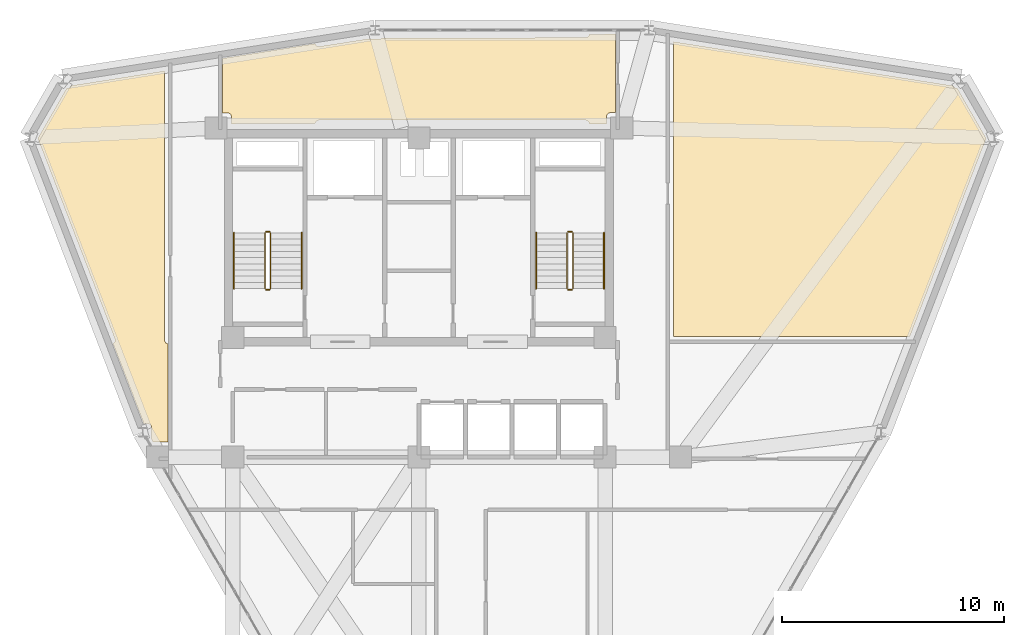
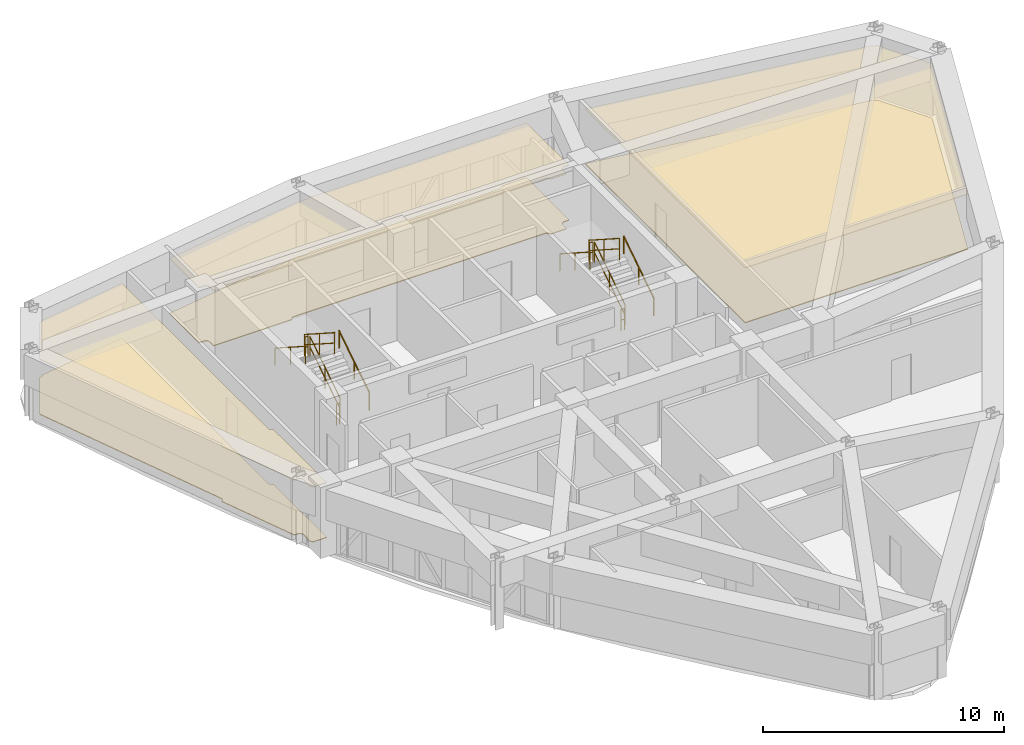
# One storey, part 16 of 16: 12 railings, 6 coverings.
"""IFC4 building model written with IfcOpenShell, lengths in metres."""

from ifc_helpers import new_model, si_unit, derived_unit, direction, frame, origin, origin_2d, place, context, subcontext, project, spatial, polyline, circle, outline, extrude, material, layer, layer_set, type_object, element, save


model = new_model("IFC4")

# Units and contexts
model_context = context("Model", 3, precision=1e-05, world=origin(), true_north=direction((0.0, 1.0)))
body_context = subcontext(model_context, "Body", "Model", "MODEL_VIEW")
ifc_project = project(units=[si_unit("LENGTHUNIT", "METRE"), si_unit("AREAUNIT", "SQUARE_METRE"), si_unit("VOLUMEUNIT", "CUBIC_METRE"), si_unit("PLANEANGLEUNIT", "RADIAN"), si_unit("MASSUNIT", "GRAM", prefix="KILO"), derived_unit("THERMALTRANSMITTANCEUNIT", [(si_unit("POWERUNIT", "WATT"), 1), (si_unit("LENGTHUNIT", "METRE"), -2), (si_unit("THERMODYNAMICTEMPERATUREUNIT", "KELVIN"), -1)])], contexts=[model_context])

# Site, building, storey
site_placement = place(None, origin())
site = spatial("IfcSite", under=ifc_project, at=site_placement, CompositionType="ELEMENT")
building_placement = place(site_placement, origin())
building = spatial("IfcBuilding", under=site, at=building_placement, Name="Korsvarv Bourse and Concert Hall", CompositionType="ELEMENT")
storey_placement = place(building_placement, frame((0.0, 0.0, 213.0)))
storey = spatial("IfcBuildingStorey", under=building, at=storey_placement, Name="L55", CompositionType="ELEMENT", Elevation=213.0)

# Coverings
ifc_material_1 = material(Name="Perforated mineral-wool and birch acoustic baffle ceiling", Category="wood")
ifc_layer_1 = layer(ifc_material_1, 0.02490234375)
ifc_layer_set_1 = layer_set([ifc_layer_1], Name="Perforated mineral-wool and birch acoustic baffle ceiling")
covering_type_1 = type_object("IfcCoveringType", Name="COV-CEIL-1", PredefinedType="CEILING", material=ifc_layer_set_1)
covering_1_placement = place(storey_placement, frame((0.0, 0.0, 2.7900390625)))
element("IfcCovering", 1, at=covering_1_placement, inside=storey, type_object=covering_type_1, Name="L55 acoustic baffle ceiling 1", PredefinedType="CEILING", context=body_context, shape_type="SweptSolid", body=[
    extrude(outline(polyline([(60.077392578125, 49.1533203125), (60.097900390625, 49.12353515625), (60.123779296875, 49.098388671875), (60.154296875, 49.0791015625), (60.18798828125, 49.066162109375), (60.223388671875, 49.060302734375), (60.281494140625, 49.056396484375), (61.5771484375, 46.81201171875), (61.5771484375, 46.737060546875), (58.1552734375, 37.85009765625), (47.47998046875, 37.85009765625), (47.47998046875, 51.14404296875), (60.077392578125, 49.1533203125)])), origin(), (0.0, 0.0, 1.0), 0.02490234375),
])
covering_2_placement = place(storey_placement, frame((0.0, 0.0, 2.7900390625)))
element("IfcCovering", 2, at=covering_2_placement, inside=storey, type_object=covering_type_1, Name="L55 acoustic baffle ceiling 2", PredefinedType="CEILING", context=body_context, shape_type="SweptSolid", body=[
    extrude(outline(polyline([(31.315185546875, 51.053466796875), (31.32421875, 51.02978515625), (31.342529296875, 50.999267578125), (31.366455078125, 50.972900390625), (31.39501953125, 50.951904296875), (31.427001953125, 50.936767578125), (31.46142578125, 50.92822265625), (31.4970703125, 50.9267578125), (33.7646484375, 51.277099609375), (33.79052734375, 51.27197265625), (34.22314453125, 51.263671875), (34.259521484375, 51.266845703125), (34.29443359375, 51.277099609375), (34.326416015625, 51.294189453125), (34.3544921875, 51.3173828125), (43.510009765625, 51.32177734375), (43.546142578125, 51.325439453125), (43.5810546875, 51.336181640625), (43.61279296875, 51.35400390625), (43.640380859375, 51.377685546875), (43.66259765625, 51.406494140625), (43.6787109375, 51.439208984375), (43.68798828125, 51.474365234375), (44.8701171875, 51.481689453125), (44.8701171875, 47.93994140625), (44.64990234375, 47.93994140625), (44.615234375, 47.9365234375), (44.581787109375, 47.926513671875), (44.551025390625, 47.910400390625), (44.52392578125, 47.888427734375), (44.501708984375, 47.86181640625), (44.48486328125, 47.831298828125), (44.47412109375, 47.798095703125), (44.469970703125, 47.763671875), (44.463623046875, 47.43994140625), (43.688720703125, 47.43994140625), (43.68408203125, 47.465087890625), (43.671630859375, 47.499267578125), (43.65234375, 47.5302734375), (43.627197265625, 47.556640625), (43.597412109375, 47.577392578125), (43.56396484375, 47.591796875), (43.5283203125, 47.59912109375), (31.489990234375, 47.60009765625), (31.453857421875, 47.59619140625), (31.4189453125, 47.58544921875), (31.38720703125, 47.567626953125), (31.359619140625, 47.5439453125), (31.33740234375, 47.51513671875), (31.3212890625, 47.482421875), (31.31201171875, 47.447265625), (27.5400390625, 47.43994140625), (27.5400390625, 47.75), (27.53662109375, 47.78466796875), (27.526611328125, 47.81787109375), (27.510498046875, 47.8486328125), (27.48876953125, 47.875732421875), (27.46240234375, 47.898193359375), (27.431884765625, 47.9150390625), (27.39892578125, 47.92578125), (27.364501953125, 47.929931640625), (27.1298828125, 47.935791015625), (27.1298828125, 50.384521484375), (31.315185546875, 51.053466796875)])), origin(), (0.0, 0.0, 1.0), 0.02490234375),
])
covering_3_placement = place(storey_placement, frame((0.0, 0.0, 2.7900390625)))
element("IfcCovering", 3, at=covering_3_placement, inside=storey, type_object=covering_type_1, Name="L55 acoustic baffle ceiling 3", PredefinedType="CEILING", context=body_context, shape_type="SweptSolid", body=[
    extrude(outline(polyline([(24.52001953125, 49.822509765625), (24.52001953125, 37.68994140625), (24.523681640625, 37.65380859375), (24.53466796875, 37.618896484375), (24.55224609375, 37.587158203125), (24.575927734375, 37.5595703125), (24.604736328125, 37.537353515625), (24.637451171875, 37.521240234375), (24.672607421875, 37.51220703125), (24.679931640625, 33.080322265625), (24.004150390625, 33.088623046875), (23.919189453125, 33.236083984375), (23.927001953125, 33.26171875), (23.93115234375, 33.296142578125), (23.941162109375, 33.72216796875), (23.938720703125, 33.757080078125), (23.92919921875, 33.790771484375), (23.91357421875, 33.822265625), (23.89208984375, 33.849853515625), (23.865478515625, 33.872802734375), (23.835205078125, 33.890380859375), (23.802001953125, 33.901611328125), (23.767333984375, 33.90625), (23.589599609375, 33.912109375), (22.2001953125, 37.52001953125), (22.22119140625, 37.533203125), (22.248046875, 37.557373046875), (22.269287109375, 37.58642578125), (22.284423828125, 37.618896484375), (22.29296875, 37.654052734375), (22.294189453125, 37.690185546875), (22.2880859375, 37.7255859375), (18.822998046875, 46.73681640625), (18.822998046875, 46.81201171875), (20.11474609375, 49.0498046875), (20.15478515625, 49.0498046875), (20.189697265625, 49.05322265625), (20.22314453125, 49.063232421875), (20.254150390625, 49.07958984375), (20.28125, 49.1015625), (20.3037109375, 49.12841796875), (20.320556640625, 49.1591796875), (24.52001953125, 49.822509765625)])), origin(), (0.0, 0.0, 1.0), 0.02490234375),
])
ifc_material_2 = material(Name="Calcium-sulphate raised access trading floor with Nordic oak top", Category="wood")
ifc_layer_2 = layer(ifc_material_2, 0.0400390625)
ifc_layer_set_2 = layer_set([ifc_layer_2], Name="Calcium-sulphate raised access trading floor with Nordic oak top")
covering_type_2 = type_object("IfcCoveringType", Name="COV-FLOR-1", PredefinedType="FLOORING", material=ifc_layer_set_2)
covering_4_placement = place(storey_placement, origin())
element("IfcCovering", 4, at=covering_4_placement, inside=storey, type_object=covering_type_2, Name="L55 raised access oak floor finish 1", PredefinedType="FLOORING", context=body_context, shape_type="SweptSolid", body=[
    extrude(outline(polyline([(60.077392578125, 49.1533203125), (60.097900390625, 49.12353515625), (60.123779296875, 49.098388671875), (60.154296875, 49.0791015625), (60.18798828125, 49.066162109375), (60.223388671875, 49.060302734375), (60.281494140625, 49.056396484375), (61.5771484375, 46.81201171875), (61.5771484375, 46.737060546875), (58.1552734375, 37.85009765625), (47.47998046875, 37.85009765625), (47.47998046875, 51.14404296875), (60.077392578125, 49.1533203125)])), origin(), (0.0, 0.0, 1.0), 0.0400390625),
])
covering_5_placement = place(storey_placement, origin())
element("IfcCovering", 5, at=covering_5_placement, inside=storey, type_object=covering_type_2, Name="L55 raised access oak floor finish 2", PredefinedType="FLOORING", context=body_context, shape_type="SweptSolid", body=[
    extrude(outline(polyline([(31.315185546875, 51.053466796875), (31.32421875, 51.02978515625), (31.342529296875, 50.999267578125), (31.366455078125, 50.972900390625), (31.39501953125, 50.951904296875), (31.427001953125, 50.936767578125), (31.46142578125, 50.92822265625), (31.4970703125, 50.9267578125), (33.7646484375, 51.277099609375), (33.79052734375, 51.27197265625), (34.22314453125, 51.263671875), (34.259521484375, 51.266845703125), (34.29443359375, 51.277099609375), (34.326416015625, 51.294189453125), (34.3544921875, 51.3173828125), (43.510009765625, 51.32177734375), (43.546142578125, 51.325439453125), (43.5810546875, 51.336181640625), (43.61279296875, 51.35400390625), (43.640380859375, 51.377685546875), (43.66259765625, 51.406494140625), (43.6787109375, 51.439208984375), (43.68798828125, 51.474365234375), (44.8701171875, 51.481689453125), (44.8701171875, 47.93994140625), (44.64990234375, 47.93994140625), (44.615234375, 47.9365234375), (44.581787109375, 47.926513671875), (44.551025390625, 47.910400390625), (44.52392578125, 47.888427734375), (44.501708984375, 47.86181640625), (44.48486328125, 47.831298828125), (44.47412109375, 47.798095703125), (44.469970703125, 47.763671875), (44.463623046875, 47.43994140625), (43.688720703125, 47.43994140625), (43.68408203125, 47.465087890625), (43.671630859375, 47.499267578125), (43.65234375, 47.5302734375), (43.627197265625, 47.556640625), (43.597412109375, 47.577392578125), (43.56396484375, 47.591796875), (43.5283203125, 47.59912109375), (31.489990234375, 47.60009765625), (31.453857421875, 47.59619140625), (31.4189453125, 47.58544921875), (31.38720703125, 47.567626953125), (31.359619140625, 47.5439453125), (31.33740234375, 47.51513671875), (31.3212890625, 47.482421875), (31.31201171875, 47.447265625), (27.5400390625, 47.43994140625), (27.5400390625, 47.75), (27.53662109375, 47.78466796875), (27.526611328125, 47.81787109375), (27.510498046875, 47.8486328125), (27.48876953125, 47.875732421875), (27.46240234375, 47.898193359375), (27.431884765625, 47.9150390625), (27.39892578125, 47.92578125), (27.364501953125, 47.929931640625), (27.1298828125, 47.935791015625), (27.1298828125, 50.384521484375), (31.315185546875, 51.053466796875)])), origin(), (0.0, 0.0, 1.0), 0.0400390625),
])
covering_6_placement = place(storey_placement, origin())
element("IfcCovering", 6, at=covering_6_placement, inside=storey, type_object=covering_type_2, Name="L55 raised access oak floor finish 3", PredefinedType="FLOORING", context=body_context, shape_type="SweptSolid", body=[
    extrude(outline(polyline([(24.52001953125, 49.822509765625), (24.52001953125, 37.68994140625), (24.523681640625, 37.65380859375), (24.53466796875, 37.618896484375), (24.55224609375, 37.587158203125), (24.575927734375, 37.5595703125), (24.604736328125, 37.537353515625), (24.637451171875, 37.521240234375), (24.672607421875, 37.51220703125), (24.679931640625, 33.080322265625), (24.004150390625, 33.088623046875), (23.919189453125, 33.236083984375), (23.927001953125, 33.26171875), (23.93115234375, 33.296142578125), (23.941162109375, 33.72216796875), (23.938720703125, 33.757080078125), (23.92919921875, 33.790771484375), (23.91357421875, 33.822265625), (23.89208984375, 33.849853515625), (23.865478515625, 33.872802734375), (23.835205078125, 33.890380859375), (23.802001953125, 33.901611328125), (23.767333984375, 33.90625), (23.589599609375, 33.912109375), (22.2001953125, 37.52001953125), (22.22119140625, 37.533203125), (22.248046875, 37.557373046875), (22.269287109375, 37.58642578125), (22.284423828125, 37.618896484375), (22.29296875, 37.654052734375), (22.294189453125, 37.690185546875), (22.2880859375, 37.7255859375), (18.822998046875, 46.73681640625), (18.822998046875, 46.81201171875), (20.11474609375, 49.0498046875), (20.15478515625, 49.0498046875), (20.189697265625, 49.05322265625), (20.22314453125, 49.063232421875), (20.254150390625, 49.07958984375), (20.28125, 49.1015625), (20.3037109375, 49.12841796875), (20.320556640625, 49.1591796875), (24.52001953125, 49.822509765625)])), origin(), (0.0, 0.0, 1.0), 0.0400390625),
])

# Railings
ifc_material_3 = material(Name="Painted Steel S355 stair well guardrail", Category="steel")
railing_type_1 = type_object("IfcRailingType", Name="RL-ST-GRD", PredefinedType="GUARDRAIL", material=ifc_material_3)
railing_1_placement = place(storey_placement, frame((29.31005859375, 40.0, 0.179931640625)))
element("IfcRailing", 7, at=railing_1_placement, inside=storey, type_object=railing_type_1, Name="L55 ST-T1 stair guard 1", PredefinedType="GUARDRAIL", context=body_context, shape_type="SweptSolid", body=[
    extrude(circle(Radius=0.02392578125, at=origin_2d()), frame((0.0, 0.0, 1.076171875), z_axis=(0.0, 0.841162588446, 0.540782303519), x_axis=(-1.0, 0.0, 0.0)), (0.0, 0.0, 1.0), 2.995849609375),
    extrude(circle(Radius=0.02392578125, at=origin_2d()), frame((0.0, 0.0, 0.550048828125), z_axis=(0.0, 0.841162588446, 0.540782303519), x_axis=(-1.0, 0.0, 0.0)), (0.0, 0.0, 1.0), 2.995849609375),
    extrude(circle(Radius=0.02099609375, at=origin_2d()), origin(), (0.0, 0.0, 1.0), 1.052001953125),
    extrude(circle(Radius=0.02099609375, at=origin_2d()), frame((0.0, 1.260009765625, 0.81005859375)), (0.0, 0.0, 1.0), 1.052001953125),
    extrude(circle(Radius=0.02099609375, at=origin_2d()), frame((0.0, 2.52001953125, 1.6201171875)), (0.0, 0.0, 1.0), 1.052001953125),
])
railing_2_placement = place(storey_placement, frame((29.260009765625, 42.570068359375, 1.800048828125)))
element("IfcRailing", 8, at=railing_2_placement, inside=storey, type_object=railing_type_1, Name="L55 ST-T1 stair guard 2", PredefinedType="GUARDRAIL", context=body_context, shape_type="SweptSolid", body=[
    extrude(circle(Radius=0.02392578125, at=origin_2d()), frame((0.0, 0.0, 1.076171875), z_axis=(-1.0, 0.0, 0.0), x_axis=(0.0, -1.0, 0.0)), (0.0, 0.0, 1.0), 0.159912109375),
    extrude(circle(Radius=0.02392578125, at=origin_2d()), frame((0.0, 0.0, 0.550048828125), z_axis=(-1.0, 0.0, 0.0), x_axis=(0.0, -1.0, 0.0)), (0.0, 0.0, 1.0), 0.159912109375),
    extrude(circle(Radius=0.02099609375, at=origin_2d()), origin(), (0.0, 0.0, 1.0), 1.052001953125),
    extrude(circle(Radius=0.02099609375, at=origin_2d()), frame((-0.159912109375, 0.0, 0.0)), (0.0, 0.0, 1.0), 1.052001953125),
])
railing_3_placement = place(storey_placement, frame((29.050048828125, 42.52001953125, 1.97998046875)))
element("IfcRailing", 9, at=railing_3_placement, inside=storey, type_object=railing_type_1, Name="L55 ST-T1 stair guard 3", PredefinedType="GUARDRAIL", context=body_context, shape_type="SweptSolid", body=[
    extrude(circle(Radius=0.02392578125, at=origin_2d()), frame((0.0, 0.0, 1.076171875), z_axis=(0.0, -0.841162588446, 0.540782303519), x_axis=(1.0, 0.0, 0.0)), (0.0, 0.0, 1.0), 2.995849609375),
    extrude(circle(Radius=0.02392578125, at=origin_2d()), frame((0.0, 0.0, 0.550048828125), z_axis=(0.0, -0.841162588446, 0.540782303519), x_axis=(1.0, 0.0, 0.0)), (0.0, 0.0, 1.0), 2.995849609375),
    extrude(circle(Radius=0.02099609375, at=origin_2d()), origin(), (0.0, 0.0, 1.0), 1.052001953125),
    extrude(circle(Radius=0.02099609375, at=origin_2d()), frame((0.0, -1.260009765625, 0.81005859375)), (0.0, 0.0, 1.0), 1.052001953125),
    extrude(circle(Radius=0.02099609375, at=origin_2d()), frame((0.0, -2.52001953125, 1.6201171875)), (0.0, 0.0, 1.0), 1.052001953125),
])
railing_4_placement = place(storey_placement, frame((29.260009765625, 39.949951171875, 0.0)))
element("IfcRailing", 10, at=railing_4_placement, inside=storey, type_object=railing_type_1, Name="L55 ST-T1 stair guard 4", PredefinedType="GUARDRAIL", context=body_context, shape_type="SweptSolid", body=[
    extrude(circle(Radius=0.02392578125, at=origin_2d()), frame((0.0, 0.0, 1.076171875), z_axis=(-1.0, 0.0, 0.0), x_axis=(0.0, -1.0, 0.0)), (0.0, 0.0, 1.0), 0.159912109375),
    extrude(circle(Radius=0.02392578125, at=origin_2d()), frame((0.0, 0.0, 0.550048828125), z_axis=(-1.0, 0.0, 0.0), x_axis=(0.0, -1.0, 0.0)), (0.0, 0.0, 1.0), 0.159912109375),
    extrude(circle(Radius=0.02099609375, at=origin_2d()), origin(), (0.0, 0.0, 1.0), 1.052001953125),
    extrude(circle(Radius=0.02099609375, at=origin_2d()), frame((-0.159912109375, 0.0, 0.0)), (0.0, 0.0, 1.0), 1.052001953125),
])
railing_5_placement = place(storey_placement, frame((42.949951171875, 40.0, 0.179931640625)))
element("IfcRailing", 11, at=railing_5_placement, inside=storey, type_object=railing_type_1, Name="L55 ST-T2 stair guard 1", PredefinedType="GUARDRAIL", context=body_context, shape_type="SweptSolid", body=[
    extrude(circle(Radius=0.02392578125, at=origin_2d()), frame((0.0, 0.0, 1.076171875), z_axis=(0.0, 0.841162588446, 0.540782303519), x_axis=(-1.0, 0.0, 0.0)), (0.0, 0.0, 1.0), 2.995849609375),
    extrude(circle(Radius=0.02392578125, at=origin_2d()), frame((0.0, 0.0, 0.550048828125), z_axis=(0.0, 0.841162588446, 0.540782303519), x_axis=(-1.0, 0.0, 0.0)), (0.0, 0.0, 1.0), 2.995849609375),
    extrude(circle(Radius=0.02099609375, at=origin_2d()), origin(), (0.0, 0.0, 1.0), 1.052001953125),
    extrude(circle(Radius=0.02099609375, at=origin_2d()), frame((0.0, 1.260009765625, 0.81005859375)), (0.0, 0.0, 1.0), 1.052001953125),
    extrude(circle(Radius=0.02099609375, at=origin_2d()), frame((0.0, 2.52001953125, 1.6201171875)), (0.0, 0.0, 1.0), 1.052001953125),
])
railing_6_placement = place(storey_placement, frame((42.89990234375, 42.570068359375, 1.800048828125)))
element("IfcRailing", 12, at=railing_6_placement, inside=storey, type_object=railing_type_1, Name="L55 ST-T2 stair guard 2", PredefinedType="GUARDRAIL", context=body_context, shape_type="SweptSolid", body=[
    extrude(circle(Radius=0.02392578125, at=origin_2d()), frame((0.0, 0.0, 1.076171875), z_axis=(-1.0, 0.0, 0.0), x_axis=(0.0, -1.0, 0.0)), (0.0, 0.0, 1.0), 0.159912109375),
    extrude(circle(Radius=0.02392578125, at=origin_2d()), frame((0.0, 0.0, 0.550048828125), z_axis=(-1.0, 0.0, 0.0), x_axis=(0.0, -1.0, 0.0)), (0.0, 0.0, 1.0), 0.159912109375),
    extrude(circle(Radius=0.02099609375, at=origin_2d()), origin(), (0.0, 0.0, 1.0), 1.052001953125),
    extrude(circle(Radius=0.02099609375, at=origin_2d()), frame((-0.159912109375, 0.0, 0.0)), (0.0, 0.0, 1.0), 1.052001953125),
])
railing_7_placement = place(storey_placement, frame((42.68994140625, 42.52001953125, 1.97998046875)))
element("IfcRailing", 13, at=railing_7_placement, inside=storey, type_object=railing_type_1, Name="L55 ST-T2 stair guard 3", PredefinedType="GUARDRAIL", context=body_context, shape_type="SweptSolid", body=[
    extrude(circle(Radius=0.02392578125, at=origin_2d()), frame((0.0, 0.0, 1.076171875), z_axis=(0.0, -0.841162588446, 0.540782303519), x_axis=(1.0, 0.0, 0.0)), (0.0, 0.0, 1.0), 2.995849609375),
    extrude(circle(Radius=0.02392578125, at=origin_2d()), frame((0.0, 0.0, 0.550048828125), z_axis=(0.0, -0.841162588446, 0.540782303519), x_axis=(1.0, 0.0, 0.0)), (0.0, 0.0, 1.0), 2.995849609375),
    extrude(circle(Radius=0.02099609375, at=origin_2d()), origin(), (0.0, 0.0, 1.0), 1.052001953125),
    extrude(circle(Radius=0.02099609375, at=origin_2d()), frame((0.0, -1.260009765625, 0.81005859375)), (0.0, 0.0, 1.0), 1.052001953125),
    extrude(circle(Radius=0.02099609375, at=origin_2d()), frame((0.0, -2.52001953125, 1.6201171875)), (0.0, 0.0, 1.0), 1.052001953125),
])
railing_8_placement = place(storey_placement, frame((42.89990234375, 39.949951171875, 0.0)))
element("IfcRailing", 14, at=railing_8_placement, inside=storey, type_object=railing_type_1, Name="L55 ST-T2 stair guard 4", PredefinedType="GUARDRAIL", context=body_context, shape_type="SweptSolid", body=[
    extrude(circle(Radius=0.02392578125, at=origin_2d()), frame((0.0, 0.0, 1.076171875), z_axis=(-1.0, 0.0, 0.0), x_axis=(0.0, -1.0, 0.0)), (0.0, 0.0, 1.0), 0.159912109375),
    extrude(circle(Radius=0.02392578125, at=origin_2d()), frame((0.0, 0.0, 0.550048828125), z_axis=(-1.0, 0.0, 0.0), x_axis=(0.0, -1.0, 0.0)), (0.0, 0.0, 1.0), 0.159912109375),
    extrude(circle(Radius=0.02099609375, at=origin_2d()), origin(), (0.0, 0.0, 1.0), 1.052001953125),
    extrude(circle(Radius=0.02099609375, at=origin_2d()), frame((-0.159912109375, 0.0, 0.0)), (0.0, 0.0, 1.0), 1.052001953125),
])
ifc_material_4 = material(Name="Brushed stainless Steel S355 tubular handrail", Category="steel")
railing_type_2 = type_object("IfcRailingType", Name="RL-ST-HND", PredefinedType="HANDRAIL", material=ifc_material_4)
railing_9_placement = place(storey_placement, frame((30.7099609375, 40.0, 0.179931640625)))
element("IfcRailing", 15, at=railing_9_placement, inside=storey, type_object=railing_type_2, Name="L55 ST-T1 stair handrail 1", PredefinedType="HANDRAIL", context=body_context, shape_type="SweptSolid", body=[
    extrude(circle(Radius=0.02392578125, at=origin_2d()), frame((0.0, 0.0, 0.8759765625), z_axis=(0.0, 0.841162588446, 0.540782303519), x_axis=(-1.0, 0.0, 0.0)), (0.0, 0.0, 1.0), 2.995849609375),
    extrude(circle(Radius=0.02099609375, at=origin_2d()), origin(), (0.0, 0.0, 1.0), 0.851806640625),
    extrude(circle(Radius=0.02099609375, at=origin_2d()), frame((0.0, 1.260009765625, 0.81005859375)), (0.0, 0.0, 1.0), 0.851806640625),
    extrude(circle(Radius=0.02099609375, at=origin_2d()), frame((0.0, 2.52001953125, 1.6201171875)), (0.0, 0.0, 1.0), 0.851806640625),
])
railing_10_placement = place(storey_placement, frame((27.64990234375, 42.52001953125, 1.97998046875)))
element("IfcRailing", 16, at=railing_10_placement, inside=storey, type_object=railing_type_2, Name="L55 ST-T1 stair handrail 2", PredefinedType="HANDRAIL", context=body_context, shape_type="SweptSolid", body=[
    extrude(circle(Radius=0.02392578125, at=origin_2d()), frame((0.0, 0.0, 0.8759765625), z_axis=(0.0, -0.841162588446, 0.540782303519), x_axis=(1.0, 0.0, 0.0)), (0.0, 0.0, 1.0), 2.995849609375),
    extrude(circle(Radius=0.02099609375, at=origin_2d()), origin(), (0.0, 0.0, 1.0), 0.851806640625),
    extrude(circle(Radius=0.02099609375, at=origin_2d()), frame((0.0, -1.260009765625, 0.81005859375)), (0.0, 0.0, 1.0), 0.851806640625),
    extrude(circle(Radius=0.02099609375, at=origin_2d()), frame((0.0, -2.52001953125, 1.6201171875)), (0.0, 0.0, 1.0), 0.851806640625),
])
railing_11_placement = place(storey_placement, frame((44.35009765625, 40.0, 0.179931640625)))
element("IfcRailing", 17, at=railing_11_placement, inside=storey, type_object=railing_type_2, Name="L55 ST-T2 stair handrail 1", PredefinedType="HANDRAIL", context=body_context, shape_type="SweptSolid", body=[
    extrude(circle(Radius=0.02392578125, at=origin_2d()), frame((0.0, 0.0, 0.8759765625), z_axis=(0.0, 0.841162588446, 0.540782303519), x_axis=(-1.0, 0.0, 0.0)), (0.0, 0.0, 1.0), 2.995849609375),
    extrude(circle(Radius=0.02099609375, at=origin_2d()), origin(), (0.0, 0.0, 1.0), 0.851806640625),
    extrude(circle(Radius=0.02099609375, at=origin_2d()), frame((0.0, 1.260009765625, 0.81005859375)), (0.0, 0.0, 1.0), 0.851806640625),
    extrude(circle(Radius=0.02099609375, at=origin_2d()), frame((0.0, 2.52001953125, 1.6201171875)), (0.0, 0.0, 1.0), 0.851806640625),
])
railing_12_placement = place(storey_placement, frame((41.2900390625, 42.52001953125, 1.97998046875)))
element("IfcRailing", 18, at=railing_12_placement, inside=storey, type_object=railing_type_2, Name="L55 ST-T2 stair handrail 2", PredefinedType="HANDRAIL", context=body_context, shape_type="SweptSolid", body=[
    extrude(circle(Radius=0.02392578125, at=origin_2d()), frame((0.0, 0.0, 0.8759765625), z_axis=(0.0, -0.841162588446, 0.540782303519), x_axis=(1.0, 0.0, 0.0)), (0.0, 0.0, 1.0), 2.995849609375),
    extrude(circle(Radius=0.02099609375, at=origin_2d()), origin(), (0.0, 0.0, 1.0), 0.851806640625),
    extrude(circle(Radius=0.02099609375, at=origin_2d()), frame((0.0, -1.260009765625, 0.81005859375)), (0.0, 0.0, 1.0), 0.851806640625),
    extrude(circle(Radius=0.02099609375, at=origin_2d()), frame((0.0, -2.52001953125, 1.6201171875)), (0.0, 0.0, 1.0), 0.851806640625),
])

save(model, "model.ifc")
